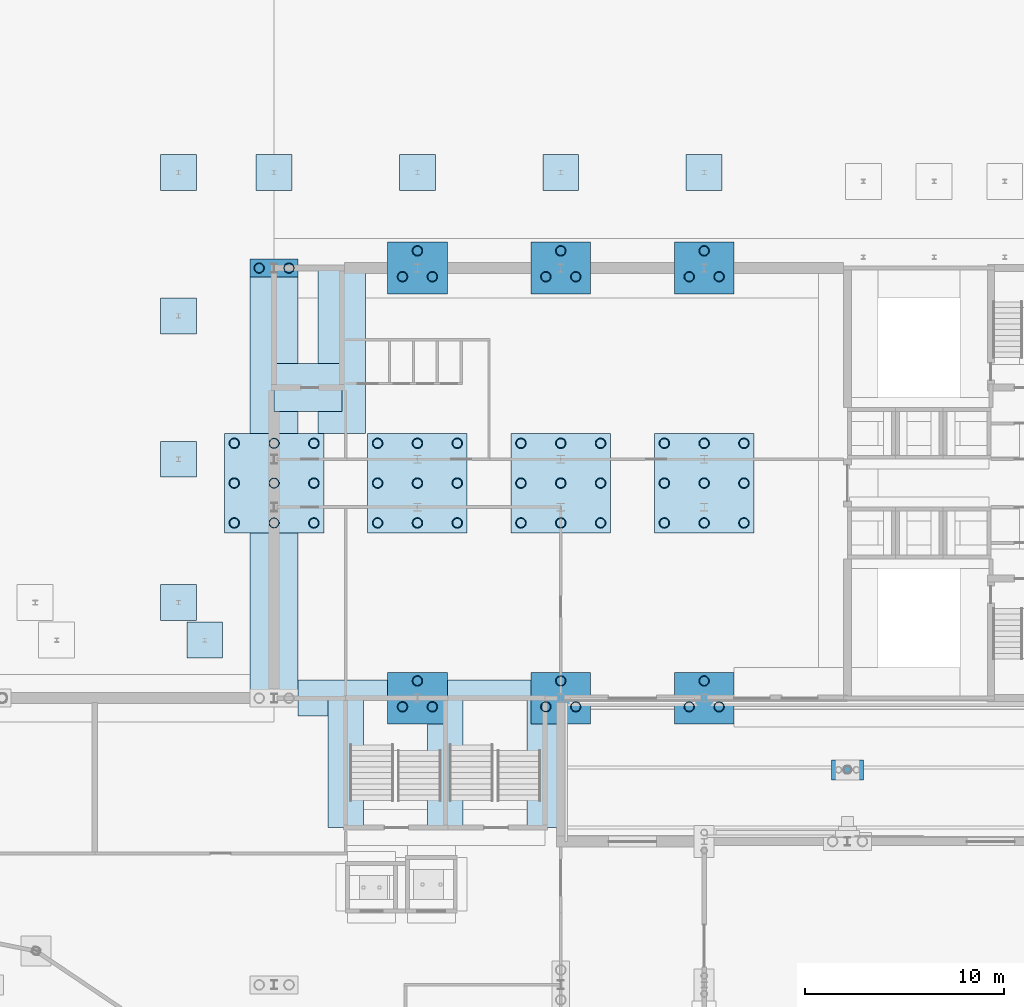
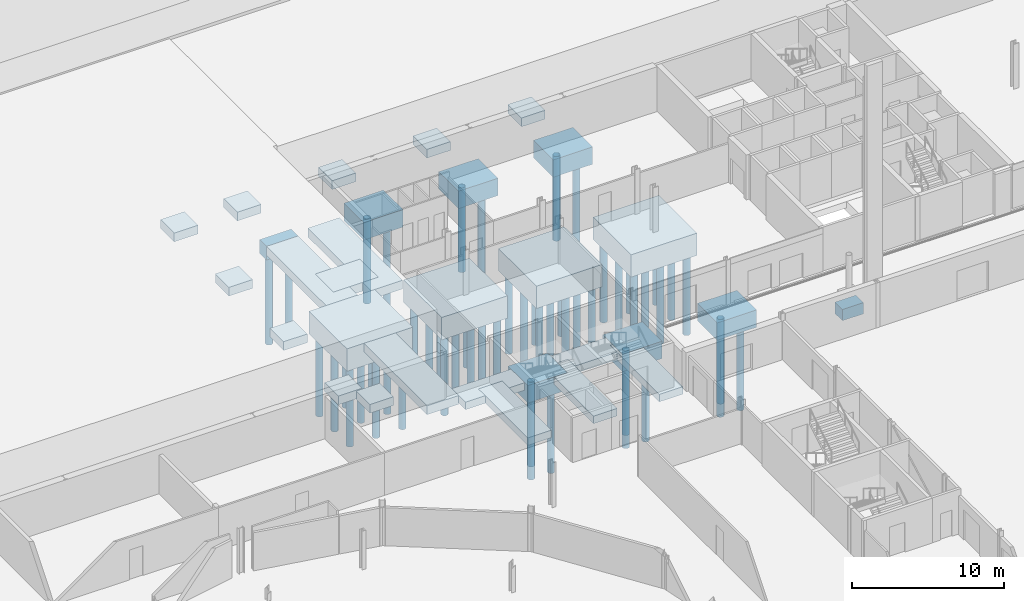
# One storey, part 24 of 148: 56 piles, 28 footings.
"""IFC4 building model written with IfcOpenShell, lengths in metres."""

from ifc_helpers import new_model, si_unit, direction, frame, origin, origin_2d, place, context, subcontext, project, spatial, rectangle, hollow_circle, extrude, material, layer, layer_set, material_profile, profile_set, type_object, element, save


model = new_model("IFC4")

# Units and contexts
model_context = context("Model", 3, precision=1e-05, world=origin(), true_north=direction((0.0, 1.0)))
body_context = subcontext(model_context, "Body", "Model", "MODEL_VIEW")
ifc_project = project(units=[si_unit("LENGTHUNIT", "METRE"), si_unit("AREAUNIT", "SQUARE_METRE"), si_unit("VOLUMEUNIT", "CUBIC_METRE"), si_unit("PLANEANGLEUNIT", "RADIAN"), si_unit("MASSUNIT", "GRAM", prefix="KILO")], contexts=[model_context])

# Site, building, storey
site_placement = place(None, origin())
site = spatial("IfcSite", under=ifc_project, at=site_placement, CompositionType="ELEMENT")
building_placement = place(site_placement, origin())
building = spatial("IfcBuilding", under=site, at=building_placement, Name="Kupolbacken Congress Centre", CompositionType="ELEMENT")
storey_placement = place(building_placement, origin())
storey = spatial("IfcBuildingStorey", under=building, at=storey_placement, Name="L00", CompositionType="ELEMENT", Elevation=0.0)

# Footings
ifc_material_1 = material(Name="Concrete C30/37", Category="concrete")
ifc_layer_1 = layer(ifc_material_1, 1.10009765625)
ifc_layer_set_1 = layer_set([ifc_layer_1], Name="Concrete C30/37")
footing_type_1 = type_object("IfcFootingType", Name="PC2 pile cap 2.40 x 0.90 x 1.10 m", PredefinedType="PILE_CAP", material=ifc_layer_set_1)
footing_1_placement = place(storey_placement, frame((64.800048828125, 144.0, -1.400146484375), z_axis=(0.0, 0.0, 1.0), x_axis=(1.0, 0.0, 0.0)))
element("IfcFooting", 1, at=footing_1_placement, inside=storey, type_object=footing_type_1, Name="S/fnd/C-T-10W/cap", PredefinedType="PILE_CAP", context=body_context, shape_type="SweptSolid", body=[
    extrude(rectangle(XDim=2.39990234375, YDim=0.89990234375, at=origin_2d()), origin(), (0.0, 0.0, 1.0), 1.10009765625),
])
ifc_material_2 = material(Name="Concrete C30/37", Category="concrete")
ifc_layer_2 = layer(ifc_material_2, 1.39990234375)
ifc_layer_set_2 = layer_set([ifc_layer_2], Name="Concrete C30/37")
footing_type_2 = type_object("IfcFootingType", Name="PC5 pile cap 3.00 x 2.60 x 1.40 m", PredefinedType="PILE_CAP", material=ifc_layer_set_2)
for number, where, z_axis, x_axis, name in (
    (2, (72.0, 122.39990234375, -1.699951171875), (0.0, 0.0, 1.0), (1.0, 0.0, 0.0), "S/fnd/C-T-11T/cap"),
    (3, (72.0, 144.0, -1.699951171875), (0.0, 0.0, 1.0), (1.0, 0.0, 0.0), "S/fnd/C-T-11W/cap"),
    (4, (79.199951171875, 122.39990234375, -1.699951171875), (0.0, 0.0, 1.0), (1.0, 0.0, 0.0), "S/fnd/C-T-12T/cap"),
    (5, (79.199951171875, 144.0, -1.699951171875), (0.0, 0.0, 1.0), (1.0, 0.0, 0.0), "S/fnd/C-T-12W/cap"),
    (6, (86.39990234375, 122.39990234375, -1.699951171875), (0.0, 0.0, 1.0), (1.0, 0.0, 0.0), "S/fnd/C-T-13T/cap"),
    (7, (86.39990234375, 144.0, -1.699951171875), (0.0, 0.0, 1.0), (1.0, 0.0, 0.0), "S/fnd/C-T-13W/cap"),
):
    element("IfcFooting", number, at=place(storey_placement, frame(where, z_axis=z_axis, x_axis=x_axis)), inside=storey, type_object=footing_type_2, Name=name, PredefinedType="PILE_CAP", context=body_context, shape_type="SweptSolid", body=[
        extrude(rectangle(XDim=3.0, YDim=2.60009765625, at=origin_2d()), origin(), (0.0, 0.0, 1.0), 1.39990234375),
    ])
ifc_material_3 = material(Name="Concrete C30/37", Category="concrete")
ifc_layer_3 = layer(ifc_material_3, 0.89990234375)
ifc_layer_set_3 = layer_set([ifc_layer_3], Name="Concrete C30/37")
footing_type_3 = type_object("IfcFootingType", Name="PC7 pile cap 1.60 x 1.00 x 0.90 m", PredefinedType="PILE_CAP", material=ifc_layer_set_3)
footing_2_placement = place(storey_placement, frame((93.60009765625, 118.800048828125, -1.199951171875), z_axis=(0.0, 0.0, 1.0), x_axis=(1.0, 0.0, 0.0)))
element("IfcFooting", 8, at=footing_2_placement, inside=storey, type_object=footing_type_3, Name="MS/M1N/fnd/cap", PredefinedType="PILE_CAP", context=body_context, shape_type="SweptSolid", body=[
    extrude(rectangle(XDim=1.60009765625, YDim=1.0, at=origin_2d()), origin(), (0.0, 0.0, 1.0), 0.89990234375),
])
ifc_material_4 = material(Name="Concrete C30/37", Category="concrete")
ifc_layer_4 = layer(ifc_material_4, 1.800048828125)
ifc_layer_set_4 = layer_set([ifc_layer_4], Name="Concrete C30/37")
footing_type_4 = type_object("IfcFootingType", Name="PC9 pile cap 5.00 x 5.00 x 1.80 m", PredefinedType="PILE_CAP", material=ifc_layer_set_4)
for number, where, z_axis, x_axis, name in (
    (9, (64.800048828125, 133.199951171875, -2.10009765625), (0.0, 0.0, 1.0), (1.0, 0.0, 0.0), "S/fnd/T-pair/64.8/cap"),
    (10, (72.0, 133.199951171875, -2.10009765625), (0.0, 0.0, 1.0), (1.0, 0.0, 0.0), "S/fnd/T-pair/72.0/cap"),
    (11, (79.199951171875, 133.199951171875, -2.10009765625), (0.0, 0.0, 1.0), (1.0, 0.0, 0.0), "S/fnd/T-pair/79.2/cap"),
    (12, (86.39990234375, 133.199951171875, -2.10009765625), (0.0, 0.0, 1.0), (1.0, 0.0, 0.0), "S/fnd/T-pair/86.4/cap"),
):
    element("IfcFooting", number, at=place(storey_placement, frame(where, z_axis=z_axis, x_axis=x_axis)), inside=storey, type_object=footing_type_4, Name=name, PredefinedType="PILE_CAP", context=body_context, shape_type="SweptSolid", body=[
        extrude(rectangle(XDim=5.0, YDim=5.0, at=origin_2d()), origin(), (0.0, 0.0, 1.0), 1.800048828125),
    ])
ifc_material_5 = material(Name="Concrete C30/37", Category="concrete")
ifc_layer_5 = layer(ifc_material_5, 0.699951171875)
ifc_layer_set_5 = layer_set([ifc_layer_5], Name="Concrete C30/37")
footing_type_5 = type_object("IfcFootingType", Name="PD4 pad footing 1.80 x 1.80 x 0.70 m", PredefinedType="PAD_FOOTING", material=ifc_layer_set_5)
for number, where, z_axis, x_axis, name in (
    (13, (61.320068359375, 125.320068359375, -1.0), (0.0, 0.0, 1.0), (1.0, 0.0, 0.0), "E/canopy/HEN3/pad1"),
    (14, (60.0, 127.199951171875, -1.0), (0.0, 0.0, 1.0), (1.0, 0.0, 0.0), "E/T/portico/P/pad60"),
    (15, (60.0, 134.39990234375, -1.0), (0.0, 0.0, 1.0), (1.0, 0.0, 0.0), "E/T/portico/W/pad134.4"),
    (16, (60.0, 141.60009765625, -1.0), (0.0, 0.0, 1.0), (1.0, 0.0, 0.0), "E/T/portico/W/pad141.6"),
    (17, (60.0, 148.800048828125, -1.0), (0.0, 0.0, 1.0), (1.0, 0.0, 0.0), "E/T/portico/W/pad148.8"),
    (18, (64.800048828125, 148.800048828125, -1.0), (0.0, 0.0, 1.0), (1.0, 0.0, 0.0), "E/T/portico/N/pad64.8"),
    (19, (72.0, 148.800048828125, -1.0), (0.0, 0.0, 1.0), (1.0, 0.0, 0.0), "E/T/portico/N/pad72"),
    (20, (79.199951171875, 148.800048828125, -1.0), (0.0, 0.0, 1.0), (1.0, 0.0, 0.0), "E/T/portico/N/pad79.2"),
    (21, (86.39990234375, 148.800048828125, -1.0), (0.0, 0.0, 1.0), (1.0, 0.0, 0.0), "E/T/portico/N/pad86.4"),
):
    element("IfcFooting", number, at=place(storey_placement, frame(where, z_axis=z_axis, x_axis=x_axis)), inside=storey, type_object=footing_type_5, Name=name, PredefinedType="PAD_FOOTING", context=body_context, shape_type="SweptSolid", body=[
        extrude(rectangle(XDim=1.800048828125, YDim=1.800048828125, at=origin_2d()), origin(), (0.0, 0.0, 1.0), 0.699951171875),
    ])

# Piles
ifc_material_6 = material(Name="Steel S355", Category="steel")
ifc_material_profile = material_profile(ifc_material_6, hollow_circle(Radius=0.25390625, WallThickness=0.02001953125, at=origin_2d()), Name="CHS 508 x 20")
ifc_profile_set = profile_set([ifc_material_profile], Name="Steel S355")
pile_type = type_object("IfcPileType", Name="PL3 steel tube pile CHS 508 x 20", PredefinedType="BORED", material=ifc_profile_set)
for number, where, z_axis, x_axis, name in (
    (22, (62.800048828125, 131.199951171875, -2.10009765625), (0.0, 0.0, -1.0), (1.0, 0.0, 0.0), "S/fnd/T-pair/64.8/pile1"),
    (23, (62.800048828125, 133.199951171875, -2.10009765625), (0.0, 0.0, -1.0), (1.0, 0.0, 0.0), "S/fnd/T-pair/64.8/pile2"),
    (24, (62.800048828125, 135.199951171875, -2.10009765625), (0.0, 0.0, -1.0), (1.0, 0.0, 0.0), "S/fnd/T-pair/64.8/pile3"),
    (25, (64.800048828125, 131.199951171875, -2.10009765625), (0.0, 0.0, -1.0), (1.0, 0.0, 0.0), "S/fnd/T-pair/64.8/pile4"),
    (26, (64.800048828125, 133.199951171875, -2.10009765625), (0.0, 0.0, -1.0), (1.0, 0.0, 0.0), "S/fnd/T-pair/64.8/pile5"),
    (27, (64.800048828125, 135.199951171875, -2.10009765625), (0.0, 0.0, -1.0), (1.0, 0.0, 0.0), "S/fnd/T-pair/64.8/pile6"),
    (28, (66.800048828125, 131.199951171875, -2.10009765625), (0.0, 0.0, -1.0), (1.0, 0.0, 0.0), "S/fnd/T-pair/64.8/pile7"),
    (29, (66.800048828125, 133.199951171875, -2.10009765625), (0.0, 0.0, -1.0), (1.0, 0.0, 0.0), "S/fnd/T-pair/64.8/pile8"),
    (30, (66.800048828125, 135.199951171875, -2.10009765625), (0.0, 0.0, -1.0), (1.0, 0.0, 0.0), "S/fnd/T-pair/64.8/pile9"),
):
    element("IfcPile", number, at=place(storey_placement, frame(where, z_axis=z_axis, x_axis=x_axis)), inside=storey, type_object=pile_type, Name=name, PredefinedType="BORED", context=body_context, shape_type="SweptSolid", body=[
        extrude(hollow_circle(Radius=0.25390625, WallThickness=0.02001953125, at=origin_2d()), origin(), (0.0, 0.0, 1.0), 6.39990234375),
    ])
for number, where, z_axis, x_axis, name in (
    (31, (64.050048828125, 144.0, -1.39990234375), (0.0, 0.0, -1.0), (1.0, 0.0, 0.0), "S/fnd/C-T-10W/pile1"),
    (32, (65.550048828125, 144.0, -1.39990234375), (0.0, 0.0, -1.0), (1.0, 0.0, 0.0), "S/fnd/C-T-10W/pile2"),
):
    element("IfcPile", number, at=place(storey_placement, frame(where, z_axis=z_axis, x_axis=x_axis)), inside=storey, type_object=pile_type, Name=name, PredefinedType="BORED", context=body_context, shape_type="SweptSolid", body=[
        extrude(hollow_circle(Radius=0.25390625, WallThickness=0.02001953125, at=origin_2d()), origin(), (0.0, 0.0, 1.0), 7.10009765625),
    ])
for number, where, z_axis, x_axis, name in (
    (33, (71.25, 121.966552734375, -1.699951171875), (0.0, 0.0, -1.0), (1.0, 0.0, 0.0), "S/fnd/C-T-11T/pile1"),
    (34, (72.75, 121.966552734375, -1.699951171875), (0.0, 0.0, -1.0), (1.0, 0.0, 0.0), "S/fnd/C-T-11T/pile2"),
    (35, (72.0, 123.265380859375, -1.699951171875), (0.0, 0.0, -1.0), (1.0, 0.0, 0.0), "S/fnd/C-T-11T/pile3"),
):
    element("IfcPile", number, at=place(storey_placement, frame(where, z_axis=z_axis, x_axis=x_axis)), inside=storey, type_object=pile_type, Name=name, PredefinedType="BORED", context=body_context, shape_type="SweptSolid", body=[
        extrude(hollow_circle(Radius=0.25390625, WallThickness=0.02001953125, at=origin_2d()), origin(), (0.0, 0.0, 1.0), 6.800048828125),
    ])
for number, where, z_axis, x_axis, name in (
    (36, (70.0, 131.199951171875, -2.10009765625), (0.0, 0.0, -1.0), (1.0, 0.0, 0.0), "S/fnd/T-pair/72.0/pile1"),
    (37, (70.0, 133.199951171875, -2.10009765625), (0.0, 0.0, -1.0), (1.0, 0.0, 0.0), "S/fnd/T-pair/72.0/pile2"),
    (38, (70.0, 135.199951171875, -2.10009765625), (0.0, 0.0, -1.0), (1.0, 0.0, 0.0), "S/fnd/T-pair/72.0/pile3"),
    (39, (72.0, 131.199951171875, -2.10009765625), (0.0, 0.0, -1.0), (1.0, 0.0, 0.0), "S/fnd/T-pair/72.0/pile4"),
    (40, (72.0, 133.199951171875, -2.10009765625), (0.0, 0.0, -1.0), (1.0, 0.0, 0.0), "S/fnd/T-pair/72.0/pile5"),
    (41, (72.0, 135.199951171875, -2.10009765625), (0.0, 0.0, -1.0), (1.0, 0.0, 0.0), "S/fnd/T-pair/72.0/pile6"),
    (42, (74.0, 131.199951171875, -2.10009765625), (0.0, 0.0, -1.0), (1.0, 0.0, 0.0), "S/fnd/T-pair/72.0/pile7"),
    (43, (74.0, 133.199951171875, -2.10009765625), (0.0, 0.0, -1.0), (1.0, 0.0, 0.0), "S/fnd/T-pair/72.0/pile8"),
    (44, (74.0, 135.199951171875, -2.10009765625), (0.0, 0.0, -1.0), (1.0, 0.0, 0.0), "S/fnd/T-pair/72.0/pile9"),
):
    element("IfcPile", number, at=place(storey_placement, frame(where, z_axis=z_axis, x_axis=x_axis)), inside=storey, type_object=pile_type, Name=name, PredefinedType="BORED", context=body_context, shape_type="SweptSolid", body=[
        extrude(hollow_circle(Radius=0.25390625, WallThickness=0.02001953125, at=origin_2d()), origin(), (0.0, 0.0, 1.0), 6.39990234375),
    ])
for number, where, z_axis, x_axis, name in (
    (45, (71.25, 143.56640625, -1.699951171875), (0.0, 0.0, -1.0), (1.0, 0.0, 0.0), "S/fnd/C-T-11W/pile1"),
    (46, (72.75, 143.56640625, -1.699951171875), (0.0, 0.0, -1.0), (1.0, 0.0, 0.0), "S/fnd/C-T-11W/pile2"),
    (47, (72.0, 144.865478515625, -1.699951171875), (0.0, 0.0, -1.0), (1.0, 0.0, 0.0), "S/fnd/C-T-11W/pile3"),
    (48, (78.449951171875, 121.966552734375, -1.699951171875), (0.0, 0.0, -1.0), (1.0, 0.0, 0.0), "S/fnd/C-T-12T/pile1"),
    (49, (79.949951171875, 121.966552734375, -1.699951171875), (0.0, 0.0, -1.0), (1.0, 0.0, 0.0), "S/fnd/C-T-12T/pile2"),
    (50, (79.199951171875, 123.265380859375, -1.699951171875), (0.0, 0.0, -1.0), (1.0, 0.0, 0.0), "S/fnd/C-T-12T/pile3"),
):
    element("IfcPile", number, at=place(storey_placement, frame(where, z_axis=z_axis, x_axis=x_axis)), inside=storey, type_object=pile_type, Name=name, PredefinedType="BORED", context=body_context, shape_type="SweptSolid", body=[
        extrude(hollow_circle(Radius=0.25390625, WallThickness=0.02001953125, at=origin_2d()), origin(), (0.0, 0.0, 1.0), 6.800048828125),
    ])
for number, where, z_axis, x_axis, name in (
    (51, (77.199951171875, 131.199951171875, -2.10009765625), (0.0, 0.0, -1.0), (1.0, 0.0, 0.0), "S/fnd/T-pair/79.2/pile1"),
    (52, (77.199951171875, 133.199951171875, -2.10009765625), (0.0, 0.0, -1.0), (1.0, 0.0, 0.0), "S/fnd/T-pair/79.2/pile2"),
    (53, (77.199951171875, 135.199951171875, -2.10009765625), (0.0, 0.0, -1.0), (1.0, 0.0, 0.0), "S/fnd/T-pair/79.2/pile3"),
    (54, (79.199951171875, 131.199951171875, -2.10009765625), (0.0, 0.0, -1.0), (1.0, 0.0, 0.0), "S/fnd/T-pair/79.2/pile4"),
    (55, (79.199951171875, 133.199951171875, -2.10009765625), (0.0, 0.0, -1.0), (1.0, 0.0, 0.0), "S/fnd/T-pair/79.2/pile5"),
    (56, (79.199951171875, 135.199951171875, -2.10009765625), (0.0, 0.0, -1.0), (1.0, 0.0, 0.0), "S/fnd/T-pair/79.2/pile6"),
    (57, (81.199951171875, 131.199951171875, -2.10009765625), (0.0, 0.0, -1.0), (1.0, 0.0, 0.0), "S/fnd/T-pair/79.2/pile7"),
    (58, (81.199951171875, 133.199951171875, -2.10009765625), (0.0, 0.0, -1.0), (1.0, 0.0, 0.0), "S/fnd/T-pair/79.2/pile8"),
    (59, (81.199951171875, 135.199951171875, -2.10009765625), (0.0, 0.0, -1.0), (1.0, 0.0, 0.0), "S/fnd/T-pair/79.2/pile9"),
):
    element("IfcPile", number, at=place(storey_placement, frame(where, z_axis=z_axis, x_axis=x_axis)), inside=storey, type_object=pile_type, Name=name, PredefinedType="BORED", context=body_context, shape_type="SweptSolid", body=[
        extrude(hollow_circle(Radius=0.25390625, WallThickness=0.02001953125, at=origin_2d()), origin(), (0.0, 0.0, 1.0), 6.39990234375),
    ])
for number, where, z_axis, x_axis, name in (
    (60, (78.449951171875, 143.56640625, -1.699951171875), (0.0, 0.0, -1.0), (1.0, 0.0, 0.0), "S/fnd/C-T-12W/pile1"),
    (61, (79.949951171875, 143.56640625, -1.699951171875), (0.0, 0.0, -1.0), (1.0, 0.0, 0.0), "S/fnd/C-T-12W/pile2"),
    (62, (79.199951171875, 144.865478515625, -1.699951171875), (0.0, 0.0, -1.0), (1.0, 0.0, 0.0), "S/fnd/C-T-12W/pile3"),
    (63, (85.64990234375, 121.966552734375, -1.699951171875), (0.0, 0.0, -1.0), (1.0, 0.0, 0.0), "S/fnd/C-T-13T/pile1"),
    (64, (87.14990234375, 121.966552734375, -1.699951171875), (0.0, 0.0, -1.0), (1.0, 0.0, 0.0), "S/fnd/C-T-13T/pile2"),
    (65, (86.39990234375, 123.265380859375, -1.699951171875), (0.0, 0.0, -1.0), (1.0, 0.0, 0.0), "S/fnd/C-T-13T/pile3"),
):
    element("IfcPile", number, at=place(storey_placement, frame(where, z_axis=z_axis, x_axis=x_axis)), inside=storey, type_object=pile_type, Name=name, PredefinedType="BORED", context=body_context, shape_type="SweptSolid", body=[
        extrude(hollow_circle(Radius=0.25390625, WallThickness=0.02001953125, at=origin_2d()), origin(), (0.0, 0.0, 1.0), 6.800048828125),
    ])
for number, where, z_axis, x_axis, name in (
    (66, (84.39990234375, 131.199951171875, -2.10009765625), (0.0, 0.0, -1.0), (1.0, 0.0, 0.0), "S/fnd/T-pair/86.4/pile1"),
    (67, (84.39990234375, 133.199951171875, -2.10009765625), (0.0, 0.0, -1.0), (1.0, 0.0, 0.0), "S/fnd/T-pair/86.4/pile2"),
    (68, (84.39990234375, 135.199951171875, -2.10009765625), (0.0, 0.0, -1.0), (1.0, 0.0, 0.0), "S/fnd/T-pair/86.4/pile3"),
    (69, (86.39990234375, 131.199951171875, -2.10009765625), (0.0, 0.0, -1.0), (1.0, 0.0, 0.0), "S/fnd/T-pair/86.4/pile4"),
    (70, (86.39990234375, 133.199951171875, -2.10009765625), (0.0, 0.0, -1.0), (1.0, 0.0, 0.0), "S/fnd/T-pair/86.4/pile5"),
    (71, (86.39990234375, 135.199951171875, -2.10009765625), (0.0, 0.0, -1.0), (1.0, 0.0, 0.0), "S/fnd/T-pair/86.4/pile6"),
    (72, (88.39990234375, 131.199951171875, -2.10009765625), (0.0, 0.0, -1.0), (1.0, 0.0, 0.0), "S/fnd/T-pair/86.4/pile7"),
    (73, (88.39990234375, 133.199951171875, -2.10009765625), (0.0, 0.0, -1.0), (1.0, 0.0, 0.0), "S/fnd/T-pair/86.4/pile8"),
    (74, (88.39990234375, 135.199951171875, -2.10009765625), (0.0, 0.0, -1.0), (1.0, 0.0, 0.0), "S/fnd/T-pair/86.4/pile9"),
):
    element("IfcPile", number, at=place(storey_placement, frame(where, z_axis=z_axis, x_axis=x_axis)), inside=storey, type_object=pile_type, Name=name, PredefinedType="BORED", context=body_context, shape_type="SweptSolid", body=[
        extrude(hollow_circle(Radius=0.25390625, WallThickness=0.02001953125, at=origin_2d()), origin(), (0.0, 0.0, 1.0), 6.39990234375),
    ])
for number, where, z_axis, x_axis, name in (
    (75, (85.64990234375, 143.56640625, -1.699951171875), (0.0, 0.0, -1.0), (1.0, 0.0, 0.0), "S/fnd/C-T-13W/pile1"),
    (76, (87.14990234375, 143.56640625, -1.699951171875), (0.0, 0.0, -1.0), (1.0, 0.0, 0.0), "S/fnd/C-T-13W/pile2"),
    (77, (86.39990234375, 144.865478515625, -1.699951171875), (0.0, 0.0, -1.0), (1.0, 0.0, 0.0), "S/fnd/C-T-13W/pile3"),
):
    element("IfcPile", number, at=place(storey_placement, frame(where, z_axis=z_axis, x_axis=x_axis)), inside=storey, type_object=pile_type, Name=name, PredefinedType="BORED", context=body_context, shape_type="SweptSolid", body=[
        extrude(hollow_circle(Radius=0.25390625, WallThickness=0.02001953125, at=origin_2d()), origin(), (0.0, 0.0, 1.0), 6.800048828125),
    ])

# Footings
ifc_material_7 = material(Name="Concrete C30/37", Category="concrete")
ifc_layer_6 = layer(ifc_material_7, 0.60009765625)
ifc_layer_set_6 = layer_set([ifc_layer_6], Name="Concrete C30/37")
footing_type_6 = type_object("IfcFootingType", Name="SF2 strip footing 1.80 x 0.60 m", PredefinedType="STRIP_FOOTING", material=ifc_layer_set_6)
for number, where, z_axis, x_axis, name in (
    (78, (73.39990234375, 119.14990234375, -0.900146484375), (0.0, 0.0, 1.0), (0.0, 1.0, 0.0), "S/fnd/core/070"),
    (79, (78.39990234375, 119.14990234375, -0.900146484375), (0.0, 0.0, 1.0), (0.0, 1.0, 0.0), "S/fnd/core/071"),
    (80, (68.39990234375, 119.14990234375, -0.900146484375), (0.0, 0.0, 1.0), (0.0, 1.0, 0.0), "S/fnd/core/075"),
):
    element("IfcFooting", number, at=place(storey_placement, frame(where, z_axis=z_axis, x_axis=x_axis)), inside=storey, type_object=footing_type_6, Name=name, PredefinedType="STRIP_FOOTING", context=body_context, shape_type="SweptSolid", body=[
        extrude(rectangle(XDim=6.5, YDim=1.800048828125, at=origin_2d()), origin(), (0.0, 0.0, 1.0), 0.60009765625),
    ])
footing_3_placement = place(storey_placement, frame((72.199951171875, 122.39990234375, -0.900146484375), z_axis=(0.0, 0.0, 1.0), x_axis=(1.0, 0.0, 0.0)))
element("IfcFooting", 81, at=footing_3_placement, inside=storey, type_object=footing_type_6, Name="S/fnd/core/076", PredefinedType="STRIP_FOOTING", context=body_context, shape_type="SweptSolid", body=[
    extrude(rectangle(XDim=12.39990234375, YDim=1.800048828125, at=origin_2d()), origin(), (0.0, 0.0, 1.0), 0.60009765625),
])
ifc_material_8 = material(Name="Concrete C30/37", Category="concrete")
ifc_layer_7 = layer(ifc_material_8, 0.699951171875)
ifc_layer_set_7 = layer_set([ifc_layer_7], Name="Concrete C30/37")
footing_type_7 = type_object("IfcFootingType", Name="SF3 strip footing 2.40 x 0.70 m", PredefinedType="STRIP_FOOTING", material=ifc_layer_set_7)
footing_4_placement = place(storey_placement, frame((64.800048828125, 133.199951171875, -1.0), z_axis=(0.0, 0.0, 1.0), x_axis=(0.0, 1.0, 0.0)))
element("IfcFooting", 82, at=footing_4_placement, inside=storey, type_object=footing_type_7, Name="S/fnd/buried/BF11", PredefinedType="STRIP_FOOTING", context=body_context, shape_type="SweptSolid", body=[
    extrude(rectangle(XDim=21.60009765625, YDim=2.39990234375, at=origin_2d()), origin(), (0.0, 0.0, 1.0), 0.699951171875),
])
footing_5_placement = place(storey_placement, frame((66.5, 138.0, -1.0), z_axis=(0.0, 0.0, 1.0), x_axis=(1.0, 0.0, 0.0)))
element("IfcFooting", 83, at=footing_5_placement, inside=storey, type_object=footing_type_7, Name="S/fnd/core/118", PredefinedType="STRIP_FOOTING", context=body_context, shape_type="SweptSolid", body=[
    extrude(rectangle(XDim=3.39990234375, YDim=2.39990234375, at=origin_2d()), origin(), (0.0, 0.0, 1.0), 0.699951171875),
])
footing_6_placement = place(storey_placement, frame((68.199951171875, 139.85009765625, -1.0), z_axis=(0.0, 0.0, 1.0), x_axis=(0.0, 1.0, 0.0)))
element("IfcFooting", 84, at=footing_6_placement, inside=storey, type_object=footing_type_7, Name="S/fnd/core/119", PredefinedType="STRIP_FOOTING", context=body_context, shape_type="SweptSolid", body=[
    extrude(rectangle(XDim=8.300048828125, YDim=2.39990234375, at=origin_2d()), origin(), (0.0, 0.0, 1.0), 0.699951171875),
])

save(model, "model.ifc")
